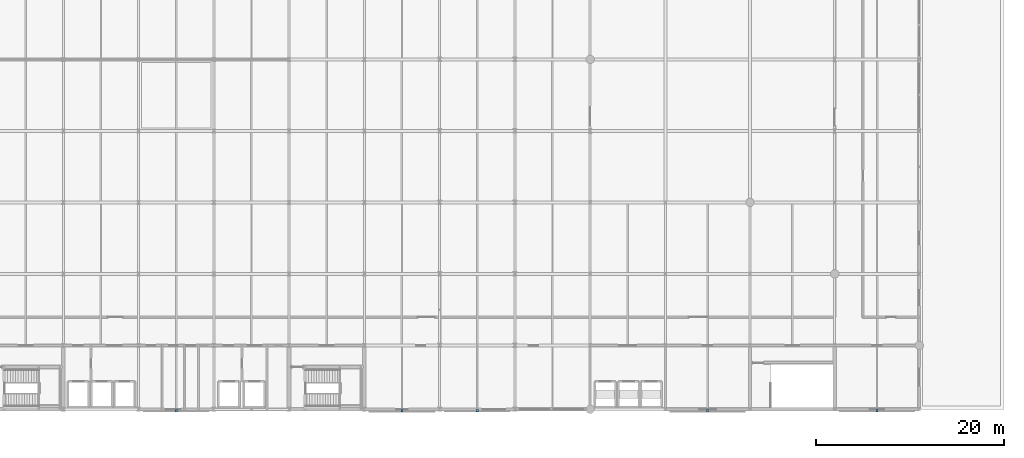
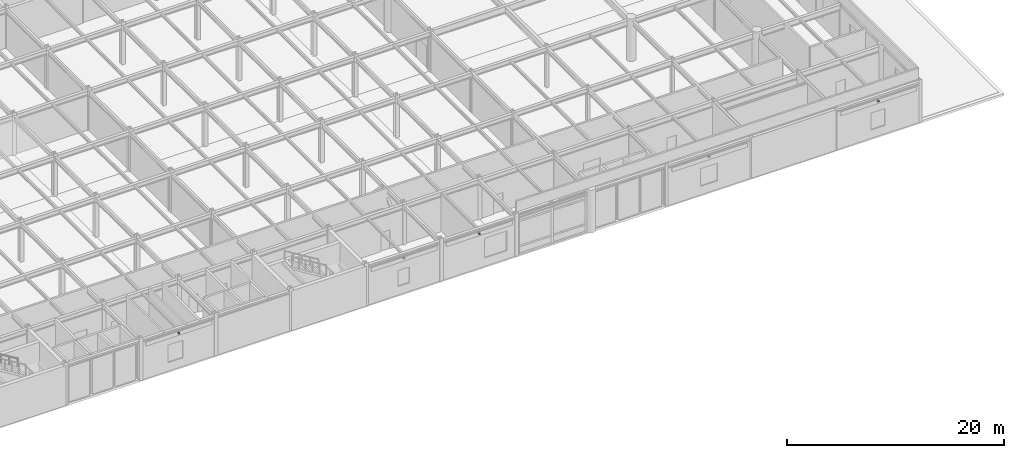
# One storey, part 40 of 43: 5 discrete accessories.
"""IFC4 building model written with IfcOpenShell, lengths in metres."""

from ifc_helpers import new_model, si_unit, direction, frame, origin, origin_2d, place, context, subcontext, project, spatial, rectangle, extrude, material, type_object, element, save


model = new_model("IFC4")

# Units and contexts
model_context = context("Model", 3, precision=1e-05, world=origin(), true_north=direction((0.0, 1.0)))
body_context = subcontext(model_context, "Body", "Model", "MODEL_VIEW")
ifc_project = project(units=[si_unit("LENGTHUNIT", "METRE"), si_unit("AREAUNIT", "SQUARE_METRE"), si_unit("VOLUMEUNIT", "CUBIC_METRE"), si_unit("PLANEANGLEUNIT", "RADIAN"), si_unit("MASSUNIT", "GRAM", prefix="KILO")], contexts=[model_context])

# Site, building, storey
site_placement = place(None, origin())
site = spatial("IfcSite", under=ifc_project, at=site_placement, CompositionType="ELEMENT")
building_placement = place(site_placement, origin())
building = spatial("IfcBuilding", under=site, at=building_placement, Name="Shalkamar Park Central Library", CompositionType="ELEMENT")
storey_placement = place(building_placement, frame((0.0, 0.0, 15.60009765625)))
storey = spatial("IfcBuildingStorey", under=building, at=storey_placement, Name="L04", CompositionType="ELEMENT", Elevation=15.60009765625)

# Discrete accessories
ifc_material = material(Name="Steel S355", Category="steel")
discrete_accessory_type = type_object("IfcDiscreteAccessoryType", Name="Stainless Facade Bracket", PredefinedType="BRACKET", material=ifc_material)
for number, where, z_axis, x_axis, name in (
    (1, (185.0, 248.2548828125, 3.86279296875), (0.0, 0.0, 1.0), (1.0, 0.0, 0.0), "Frieze Fixing Bracket L04-035"),
    (2, (209.0, 248.2548828125, 3.86279296875), (0.0, 0.0, 1.0), (1.0, 0.0, 0.0), "Frieze Fixing Bracket L04-036"),
    (3, (217.0, 248.2548828125, 3.86279296875), (0.0, 0.0, 1.0), (1.0, 0.0, 0.0), "Frieze Fixing Bracket L04-037"),
    (4, (241.5, 248.2548828125, 3.89306640625), (0.0, 0.0, 1.0), (1.0, 0.0, 0.0), "Frieze Fixing Bracket L04-038"),
    (5, (259.5, 248.2548828125, 3.89306640625), (0.0, 0.0, 1.0), (1.0, 0.0, 0.0), "Frieze Fixing Bracket L04-039"),
):
    element("IfcDiscreteAccessory", number, at=place(storey_placement, frame(where, z_axis=z_axis, x_axis=x_axis)), inside=storey, type_object=discrete_accessory_type, Name=name, PredefinedType="BRACKET", context=body_context, shape_type="SweptSolid", body=[
        extrude(rectangle(XDim=0.219970703125, YDim=0.219970703125, at=origin_2d()), origin(), (0.0, 0.0, 1.0), 0.159912109375),
    ])

save(model, "model.ifc")
